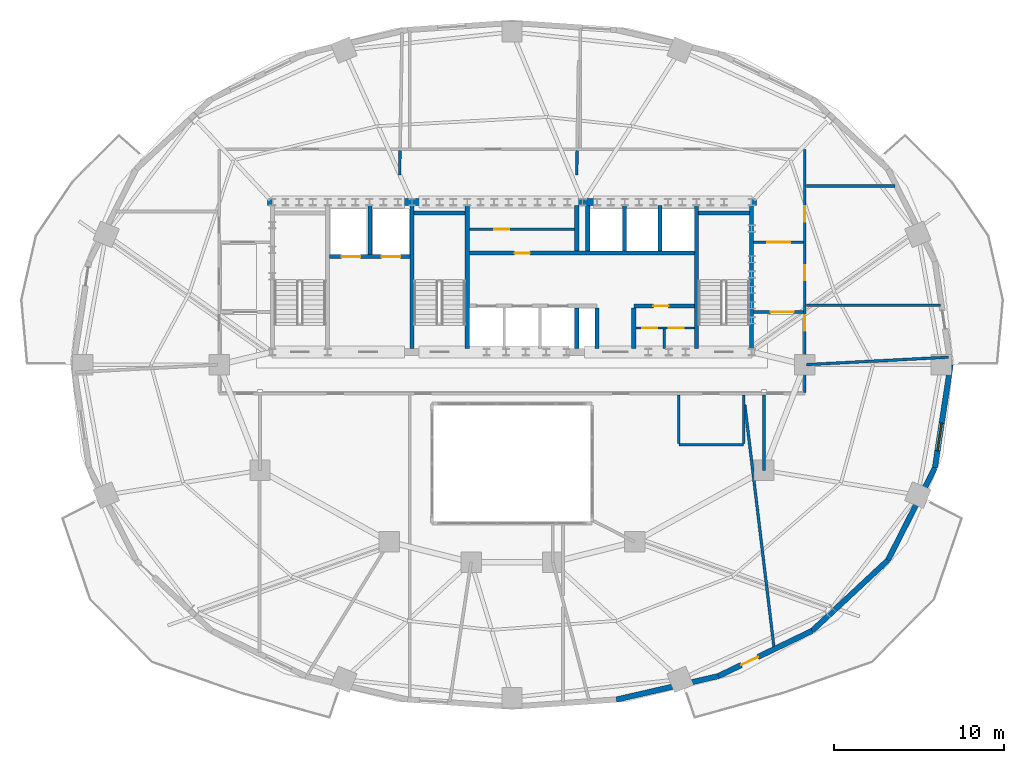
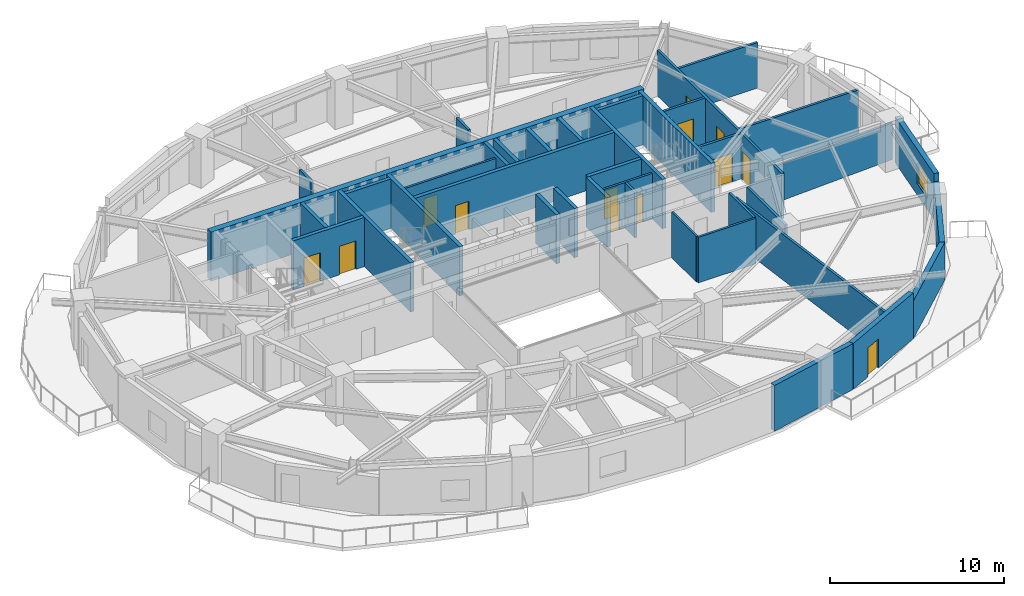
# One storey, part 7 of 11: 39 walls, 13 doors, 1 window, 14 openings.
"""IFC4 building model written with IfcOpenShell, lengths in metres."""

from ifc_helpers import new_model, si_unit, direction, frame, frame_2d, origin, place, context, subcontext, project, spatial, rectangle, extrude, material, layer, layer_set, type_object, element, fill, save


model = new_model("IFC4")

# Units and contexts
model_context = context("Model", 3, precision=1e-05, world=origin(), true_north=direction((0.0, 1.0)))
body_context = subcontext(model_context, "Body", "Model", "MODEL_VIEW")
ifc_project = project(units=[si_unit("LENGTHUNIT", "METRE"), si_unit("AREAUNIT", "SQUARE_METRE"), si_unit("VOLUMEUNIT", "CUBIC_METRE"), si_unit("PLANEANGLEUNIT", "RADIAN"), si_unit("MASSUNIT", "GRAM", prefix="KILO")], contexts=[model_context])

# Site, building, storey
site_placement = place(None, origin())
site = spatial("IfcSite", under=ifc_project, at=site_placement, CompositionType="ELEMENT")
building_placement = place(site_placement, origin())
building = spatial("IfcBuilding", under=site, at=building_placement, Name="Haldorwick Loom Tower", CompositionType="ELEMENT")
storey_placement = place(building_placement, frame((0.0, 0.0, 168.25)))
storey = spatial("IfcBuildingStorey", under=building, at=storey_placement, Name="L45", CompositionType="ELEMENT", Elevation=168.25)

# Wall
ifc_material_1 = material(Name="Pressed Clay Face Brick and Insulated Masonry Backup Assembly", Category="masonry")
ifc_layer_1 = layer(ifc_material_1, 0.320068359375, Name="Pressed Clay Face Brick and Insulated Masonry Backup Assembly", Category="masonry")
ifc_layer_set_1 = layer_set([ifc_layer_1], Name="Pressed Clay Face Brick and Insulated Masonry Backup Assembly")
wall_type_1 = type_object("IfcWallType", Name="ARC-WL-EXT320", PredefinedType="STANDARD", material=ifc_layer_set_1)
wall_1_placement = place(storey_placement, frame((42.12890625, 6.3359375, 0.0), z_axis=(0.0, 0.0, 1.0), x_axis=(0.974593223547, 0.223982250674, 0.0)))
element("IfcWall", 1, at=wall_1_placement, inside=storey, type_object=wall_type_1, Name="L45 Brick Pier and Spandrel Wall 20", PredefinedType="STANDARD", context=body_context, shape_type="SweptSolid", body=[
    extrude(rectangle(XDim=6.138916015625, YDim=0.320068359375, at=frame_2d((3.0693359375, 0.0))), origin(), (0.0, 0.0, 1.0), 3.2099609375),
])

# Wall, opening, door
wall_2_placement = place(storey_placement, frame((48.11181640625, 7.7109375, 0.0), z_axis=(0.0, 0.0, 1.0), x_axis=(0.900479976617, 0.434897472644, 0.0)))
wall_2 = element("IfcWall", 2, at=wall_2_placement, inside=storey, type_object=wall_type_1, Name="L45 Brick Pier and Spandrel Wall 21", PredefinedType="STANDARD", context=body_context, shape_type="SweptSolid", body=[
    extrude(rectangle(XDim=6.118408203125, YDim=0.320068359375, at=frame_2d((3.05908203125, 0.0))), origin(), (0.0, 0.0, 1.0), 3.2099609375),
])
opening_1_placement = place(wall_2_placement, frame((1.50634765625, 0.0, 0.0)))
opening_1 = element("IfcOpeningElement", 3, at=opening_1_placement, cuts=wall_2, Name="Opening D-BL11", PredefinedType="OPENING", context=body_context, shape_type="SweptSolid", body=[
    extrude(rectangle(XDim=1.080078125, YDim=2.0400390625, at=frame_2d((0.5400390625, 1.02001953125))), frame((0.0, 0.169921875, 0.0), z_axis=(0.0, -1.0, 0.0), x_axis=(1.0, 0.0, 0.0)), (0.0, 0.0, 1.0), 0.340087890625),
])
ifc_material_2 = material(Name="Thermally Broken Anodized Aluminium Curtain Wall Framing", Category="aluminium")
door_type_1 = type_object("IfcDoorType", Name="ARC-DR-BAL110", OperationType="NOTDEFINED", PredefinedType="DOOR", material=ifc_material_2)
door_1_placement = place(opening_1_placement, origin())
door_1 = element("IfcDoor", 4, at=door_1_placement, inside=storey, type_object=door_type_1, Name="L45 Outdoor Terrace Door SLB-L45-BAL_SE", OperationType="SINGLE_SWING_RIGHT", OverallHeight=2.0400390625, OverallWidth=1.080078125, PredefinedType="DOOR", context=body_context, shape_type="SweptSolid", body=[
    extrude(rectangle(XDim=1.080078125, YDim=2.0400390625, at=frame_2d((0.5400390625, 1.02001953125))), frame((0.0, 0.02490234375, 0.0), z_axis=(0.0, -1.0, 0.0), x_axis=(1.0, 0.0, 0.0)), (0.0, 0.0, 1.0), 0.050048828125),
])
fill(opening_1, door_1)

# Walls
for number, where, z_axis, x_axis, name in (
    (5, (53.621337890625, 10.371826171875, 0.0), (0.0, 0.0, 1.0), (0.731982952968, 0.681322945866, 0.0), "L45 Brick Pier and Spandrel Wall 22"),
    (6, (58.07666015625, 14.518798828125, 0.0), (0.0, 0.0, 1.0), (0.453172129629, 0.89142303141, 0.0), "L45 Brick Pier and Spandrel Wall 23"),
):
    element("IfcWall", number, at=place(storey_placement, frame(where, z_axis=z_axis, x_axis=x_axis)), inside=storey, type_object=wall_type_1, Name=name, PredefinedType="STANDARD", context=body_context, shape_type="SweptSolid", body=[
        extrude(rectangle(XDim=6.086669921875, YDim=0.320068359375, at=frame_2d((3.04345703125, 0.0))), origin(), (0.0, 0.0, 1.0), 2.64111328125),
    ])

# Wall, opening, window
wall_3_placement = place(storey_placement, frame((60.8349609375, 19.944580078125, 0.0), z_axis=(0.0, 0.0, 1.0), x_axis=(0.150544467684, 0.988603238539, 0.0)))
wall_3 = element("IfcWall", 7, at=wall_3_placement, inside=storey, type_object=wall_type_1, Name="L45 Brick Pier and Spandrel Wall 24", PredefinedType="STANDARD", context=body_context, shape_type="SweptSolid", body=[
    extrude(rectangle(XDim=6.125244140625, YDim=0.320068359375, at=frame_2d((3.0625, 0.0))), origin(), (0.0, 0.0, 1.0), 3.2099609375),
])
opening_2_placement = place(wall_3_placement, frame((1.0126953125, 0.0, 0.800048828125)))
opening_2 = element("IfcOpeningElement", 8, at=opening_2_placement, cuts=wall_3, Name="Opening W-01B", PredefinedType="OPENING", context=body_context, shape_type="SweptSolid", body=[
    extrude(rectangle(XDim=1.64990234375, YDim=1.449951171875, at=frame_2d((0.824951171875, 0.72509765625))), frame((0.0, 0.169921875, 0.0), z_axis=(0.0, -1.0, 0.0), x_axis=(1.0, 0.0, 0.0)), (0.0, 0.0, 1.0), 0.340087890625),
])
ifc_material_3 = material(Name="Triple-Glazed Low-E Argon Insulated Glazing Unit", Category="glass")
window_type = type_object("IfcWindowType", Name="ARC-WIN-W165", PartitioningType="SINGLE_PANEL", PredefinedType="WINDOW", material=ifc_material_3)
window_placement = place(opening_2_placement, origin())
window = element("IfcWindow", 9, at=window_placement, inside=storey, type_object=window_type, Name="L45 Deep-Set Zone 7A Window 24", OverallHeight=1.449951171875, OverallWidth=1.64990234375, PartitioningType="SINGLE_PANEL", PredefinedType="WINDOW", context=body_context, shape_type="SweptSolid", body=[
    extrude(rectangle(XDim=1.64990234375, YDim=1.449951171875, at=frame_2d((0.824951171875, 0.72509765625))), frame((0.0, 0.030029296875, 0.0), z_axis=(0.0, -1.0, 0.0), x_axis=(1.0, 0.0, 0.0)), (0.0, 0.0, 1.0), 0.06005859375),
])
fill(opening_2, window)

# Wall, openings, doors
ifc_material_4 = material(Name="Fire-Rated Type X Gypsum Stud Assembly EI 60")
ifc_layer_2 = layer(ifc_material_4, 0.159912109375, Name="Fire-Rated Type X Gypsum Stud Assembly EI 60")
ifc_layer_set_2 = layer_set([ifc_layer_2], Name="Fire-Rated Type X Gypsum Stud Assembly EI 60")
wall_type_2 = type_object("IfcWallType", Name="ARC-WL-FIRE160", PredefinedType="PARTITIONING", material=ifc_layer_set_2)
wall_4_placement = place(storey_placement, frame((53.199951171875, 24.383056640625, 0.0), z_axis=(0.0, 0.0, 1.0), x_axis=(0.0, 1.0, 0.0)))
wall_4 = element("IfcWall", 10, at=wall_4_placement, inside=storey, type_object=wall_type_2, Name="L45 Residential Fire Partition L45-CR-E0", PredefinedType="PARTITIONING", context=body_context, shape_type="SweptSolid", body=[
    extrude(rectangle(XDim=14.266845703125, YDim=0.159912109375, at=frame_2d((7.13330078125, 0.0))), origin(), (0.0, 0.0, 1.0), 3.195068359375),
])
opening_3_placement = place(wall_4_placement, frame((6.572021484375, 0.0, 0.0)))
opening_3 = element("IfcOpeningElement", 11, at=opening_3_placement, cuts=wall_4, Name="Opening D-FD60A", PredefinedType="OPENING", context=body_context, shape_type="SweptSolid", body=[
    extrude(rectangle(XDim=0.89990234375, YDim=2.0, at=frame_2d((0.449951171875, 1.0))), frame((0.0, 0.08984375, 0.0), z_axis=(0.0, -1.0, 0.0), x_axis=(1.0, 0.0, 0.0)), (0.0, 0.0, 1.0), 0.179931640625),
])
opening_4_placement = place(wall_4_placement, frame((3.619873046875, 0.0, 0.0)))
opening_4 = element("IfcOpeningElement", 12, at=opening_4_placement, cuts=wall_4, Name="Opening D-FD60A", PredefinedType="OPENING", context=body_context, shape_type="SweptSolid", body=[
    extrude(rectangle(XDim=0.89990234375, YDim=2.0, at=frame_2d((0.449951171875, 1.0))), frame((0.0, 0.08984375, 0.0), z_axis=(0.0, -1.0, 0.0), x_axis=(1.0, 0.0, 0.0)), (0.0, 0.0, 1.0), 0.179931640625),
])
opening_5_placement = place(wall_4_placement, frame((10.02734375, 0.0, 0.0)))
opening_5 = element("IfcOpeningElement", 13, at=opening_5_placement, cuts=wall_4, Name="Opening D-FD60A", PredefinedType="OPENING", context=body_context, shape_type="SweptSolid", body=[
    extrude(rectangle(XDim=0.89990234375, YDim=2.0, at=frame_2d((0.449951171875, 1.0))), frame((0.0, 0.08984375, 0.0), z_axis=(0.0, -1.0, 0.0), x_axis=(1.0, 0.0, 0.0)), (0.0, 0.0, 1.0), 0.179931640625),
])
ifc_material_5 = material(Name="Hollow Steel Fire Door Assembly", Category="steel")
door_type_2 = type_object("IfcDoorType", Name="ARC-DR-FD60-90", OperationType="NOTDEFINED", PredefinedType="DOOR", material=ifc_material_5)
door_2_placement = place(opening_3_placement, origin())
door_2 = element("IfcDoor", 14, at=door_2_placement, inside=storey, type_object=door_type_2, Name="L45 L45 East Residential Corridor to Co-Working Office 3 Door", OperationType="SINGLE_SWING_LEFT", OverallHeight=2.0, OverallWidth=0.89990234375, PredefinedType="DOOR", context=body_context, shape_type="SweptSolid", body=[
    extrude(rectangle(XDim=0.89990234375, YDim=2.0, at=frame_2d((0.449951171875, 1.0))), frame((0.0, 0.02490234375, 0.0), z_axis=(0.0, -1.0, 0.0), x_axis=(1.0, 0.0, 0.0)), (0.0, 0.0, 1.0), 0.050048828125),
])
fill(opening_3, door_2)
door_3_placement = place(opening_4_placement, origin())
door_3 = element("IfcDoor", 15, at=door_3_placement, inside=storey, type_object=door_type_2, Name="L45 L45 Central Residential Corridor to Co-Working Office 1 Door", OperationType="SINGLE_SWING_RIGHT", OverallHeight=2.0, OverallWidth=0.89990234375, PredefinedType="DOOR", context=body_context, shape_type="SweptSolid", body=[
    extrude(rectangle(XDim=0.89990234375, YDim=2.0, at=frame_2d((0.449951171875, 1.0))), frame((0.0, 0.02490234375, 0.0), z_axis=(0.0, -1.0, 0.0), x_axis=(1.0, 0.0, 0.0)), (0.0, 0.0, 1.0), 0.050048828125),
])
fill(opening_4, door_3)
door_4_placement = place(opening_5_placement, origin())
door_4 = element("IfcDoor", 16, at=door_4_placement, inside=storey, type_object=door_type_2, Name="L45 L45 North Residential Corridor to Co-Working Office 3 Door", OperationType="SINGLE_SWING_LEFT", OverallHeight=2.0, OverallWidth=0.89990234375, PredefinedType="DOOR", context=body_context, shape_type="SweptSolid", body=[
    extrude(rectangle(XDim=0.89990234375, YDim=2.0, at=frame_2d((0.449951171875, 1.0))), frame((0.0, 0.02490234375, 0.0), z_axis=(0.0, -1.0, 0.0), x_axis=(1.0, 0.0, 0.0)), (0.0, 0.0, 1.0), 0.050048828125),
])
fill(opening_5, door_4)

# Wall, opening, door
wall_5_placement = place(storey_placement, frame((50.193115234375, 29.10009765625, 0.0), z_axis=(0.0, 0.0, 1.0), x_axis=(1.0, 0.0, 0.0)))
wall_5 = element("IfcWall", 17, at=wall_5_placement, inside=storey, type_object=wall_type_2, Name="L45 Residential Fire Partition L45-CR-ESJ", PredefinedType="PARTITIONING", context=body_context, shape_type="SweptSolid", body=[
    extrude(rectangle(XDim=2.923828125, YDim=0.159912109375, at=frame_2d((1.4619140625, 0.0))), origin(), (0.0, 0.0, 1.0), 3.195068359375),
])
opening_6_placement = place(wall_5_placement, frame((0.99560546875, 0.0, 0.0)))
opening_6 = element("IfcOpeningElement", 18, at=opening_6_placement, cuts=wall_5, Name="Opening D-CR15", PredefinedType="OPENING", context=body_context, shape_type="SweptSolid", body=[
    extrude(rectangle(XDim=1.35009765625, YDim=2.0, at=frame_2d((0.675048828125, 1.0))), frame((0.0, 0.08984375, 0.0), z_axis=(0.0, -1.0, 0.0), x_axis=(1.0, 0.0, 0.0)), (0.0, 0.0, 1.0), 0.179931640625),
])
ifc_material_6 = material(Name="Thermally Broken Anodized Aluminium and Tempered Glass", Category="aluminium")
door_type_3 = type_object("IfcDoorType", Name="ARC-DR-COR150", OperationType="NOTDEFINED", PredefinedType="DOOR", material=ifc_material_6)
door_5_placement = place(opening_6_placement, origin())
door_5 = element("IfcDoor", 19, at=door_5_placement, inside=storey, type_object=door_type_3, Name="L45 L45 East Residential Corridor to L45 Central Residential Corridor Do", OperationType="DOUBLE_DOOR_SINGLE_SWING", OverallHeight=2.0, OverallWidth=1.35009765625, PredefinedType="DOOR", context=body_context, shape_type="SweptSolid", body=[
    extrude(rectangle(XDim=1.35009765625, YDim=2.0, at=frame_2d((0.675048828125, 1.0))), frame((0.0, 0.02490234375, 0.0), z_axis=(0.0, -1.0, 0.0), x_axis=(1.0, 0.0, 0.0)), (0.0, 0.0, 1.0), 0.050048828125),
])
fill(opening_6, door_5)

wall_6_placement = place(storey_placement, frame((50.193115234375, 33.199951171875, 0.0), z_axis=(0.0, 0.0, 1.0), x_axis=(1.0, 0.0, 0.0)))
wall_6 = element("IfcWall", 20, at=wall_6_placement, inside=storey, type_object=wall_type_2, Name="L45 Residential Fire Partition L45-CR-ENJ", PredefinedType="PARTITIONING", context=body_context, shape_type="SweptSolid", body=[
    extrude(rectangle(XDim=2.923828125, YDim=0.159912109375, at=frame_2d((1.4619140625, 0.0))), origin(), (0.0, 0.0, 1.0), 3.195068359375),
])
opening_7_placement = place(wall_6_placement, frame((0.787109375, 0.0, 0.0)))
opening_7 = element("IfcOpeningElement", 21, at=opening_7_placement, cuts=wall_6, Name="Opening D-CR15", PredefinedType="OPENING", context=body_context, shape_type="SweptSolid", body=[
    extrude(rectangle(XDim=1.35009765625, YDim=2.0, at=frame_2d((0.675048828125, 1.0))), frame((0.0, 0.08984375, 0.0), z_axis=(0.0, -1.0, 0.0), x_axis=(1.0, 0.0, 0.0)), (0.0, 0.0, 1.0), 0.179931640625),
])
door_6_placement = place(opening_7_placement, origin())
door_6 = element("IfcDoor", 22, at=door_6_placement, inside=storey, type_object=door_type_3, Name="L45 L45 North Residential Corridor to L45 East Residential Corridor Door", OperationType="DOUBLE_DOOR_SINGLE_SWING", OverallHeight=2.0, OverallWidth=1.35009765625, PredefinedType="DOOR", context=body_context, shape_type="SweptSolid", body=[
    extrude(rectangle(XDim=1.35009765625, YDim=2.0, at=frame_2d((0.675048828125, 1.0))), frame((0.0, 0.02490234375, 0.0), z_axis=(0.0, -1.0, 0.0), x_axis=(1.0, 0.0, 0.0)), (0.0, 0.0, 1.0), 0.050048828125),
])
fill(opening_7, door_6)

# Walls
wall_7_placement = place(storey_placement, frame((53.282958984375, 26.00439453125, 0.0), z_axis=(0.0, 0.0, 1.0), x_axis=(0.99863031647, 0.052321038094, 0.0)))
element("IfcWall", 23, at=wall_7_placement, inside=storey, type_object=wall_type_2, Name="L45 Residential Fire Partition L45-ICR-01", PredefinedType="PARTITIONING", context=body_context, shape_type="SweptSolid", body=[
    extrude(rectangle(XDim=8.3525390625, YDim=0.159912109375, at=frame_2d((4.17626953125, 0.0))), origin(), (0.0, 0.0, 1.0), 2.568115234375),
])
wall_8_placement = place(storey_placement, frame((50.800048828125, 24.217041015625, 0.0), z_axis=(0.0, 0.0, 1.0), x_axis=(0.0, -1.0, 0.0)))
element("IfcWall", 24, at=wall_8_placement, inside=storey, type_object=wall_type_2, Name="L45 Residential Fire Partition L45-ICA-02", PredefinedType="PARTITIONING", context=body_context, shape_type="SweptSolid", body=[
    extrude(rectangle(XDim=4.4169921875, YDim=0.159912109375, at=frame_2d((2.20849609375, 0.0))), origin(), (0.0, 0.0, 1.0), 3.195068359375),
])
for number, where, z_axis, x_axis, name in (
    (25, (29.39990234375, 37.14990234375, 0.0), (0.0, 0.0, 1.0), (0.01739915764, 0.999848623199, 0.0), "L45 Residential Fire Partition L45-UPN-12"),
    (26, (39.800048828125, 37.14990234375, 0.0), (0.0, 0.0, 1.0), (0.01739915764, 0.999848623199, 0.0), "L45 Residential Fire Partition L45-UPN-13"),
):
    element("IfcWall", number, at=place(storey_placement, frame(where, z_axis=z_axis, x_axis=x_axis)), inside=storey, type_object=wall_type_2, Name=name, PredefinedType="PARTITIONING", context=body_context, shape_type="SweptSolid", body=[
        extrude(rectangle(XDim=1.417236328125, YDim=0.159912109375, at=frame_2d((0.70849609375, 0.0))), origin(), (0.0, 0.0, 1.0), 3.195068359375),
    ])
wall_9_placement = place(storey_placement, frame((53.282958984375, 29.5, 0.0), z_axis=(0.0, 0.0, 1.0), x_axis=(1.0, 0.0, 0.0)))
element("IfcWall", 27, at=wall_9_placement, inside=storey, type_object=wall_type_2, Name="L45 Residential Fire Partition L45-FLE-15", PredefinedType="PARTITIONING", context=body_context, shape_type="SweptSolid", body=[
    extrude(rectangle(XDim=7.875244140625, YDim=0.159912109375, at=frame_2d((3.9375, 0.0))), origin(), (0.0, 0.0, 1.0), 3.195068359375),
])
wall_10_placement = place(storey_placement, frame((53.282958984375, 36.5, 0.0), z_axis=(0.0, 0.0, 1.0), x_axis=(1.0, 0.0, 0.0)))
element("IfcWall", 28, at=wall_10_placement, inside=storey, type_object=wall_type_2, Name="L45 Residential Fire Partition L45-FLE-17", PredefinedType="PARTITIONING", context=body_context, shape_type="SweptSolid", body=[
    extrude(rectangle(XDim=5.219482421875, YDim=0.159912109375, at=frame_2d((2.60986328125, 0.0))), origin(), (0.0, 0.0, 1.0), 3.195068359375),
])
wall_11_placement = place(storey_placement, frame((51.389404296875, 9.3662109375, 0.0), z_axis=(0.0, 0.0, 1.0), x_axis=(-0.119286397993, 0.99285988702, 0.0)))
element("IfcWall", 29, at=wall_11_placement, inside=storey, type_object=wall_type_2, Name="L45 Suite Split Wall", PredefinedType="PARTITIONING", context=body_context, shape_type="SweptSolid", body=[
    extrude(rectangle(XDim=14.38818359375, YDim=0.159912109375, at=frame_2d((7.194091796875, 0.0))), origin(), (0.0, 0.0, 1.0), 3.195068359375),
])

# Wall, opening, door
ifc_layer_3 = layer(ifc_material_4, 0.139892578125, Name="Fire-Rated Type X Gypsum Stud Assembly EI 60")
ifc_layer_set_3 = layer_set([ifc_layer_3], Name="Fire-Rated Type X Gypsum Stud Assembly EI 60")
wall_type_3 = type_object("IfcWallType", Name="ARC-WL-PART140", PredefinedType="PARTITIONING", material=ifc_layer_set_3)
wall_12_placement = place(storey_placement, frame((33.492919921875, 33.9599609375, 0.0), z_axis=(0.0, 0.0, 1.0), x_axis=(1.0, 0.0, 0.0)))
wall_12 = element("IfcWall", 30, at=wall_12_placement, inside=storey, type_object=wall_type_3, Name="L45 Alcove Partition", PredefinedType="PARTITIONING", context=body_context, shape_type="SweptSolid", body=[
    extrude(rectangle(XDim=6.18408203125, YDim=0.139892578125, at=frame_2d((3.092041015625, 0.0))), origin(), (0.0, 0.0, 1.0), 3.195068359375),
])
opening_8_placement = place(wall_12_placement, frame((1.45703125, 0.0, 0.0)))
opening_8 = element("IfcOpeningElement", 31, at=opening_8_placement, cuts=wall_12, Name="Opening D-FD60A", PredefinedType="OPENING", context=body_context, shape_type="SweptSolid", body=[
    extrude(rectangle(XDim=0.89990234375, YDim=2.0, at=frame_2d((0.449951171875, 1.0))), frame((0.0, 0.079833984375, 0.0), z_axis=(0.0, -1.0, 0.0), x_axis=(1.0, 0.0, 0.0)), (0.0, 0.0, 1.0), 0.159912109375),
])
door_7_placement = place(opening_8_placement, frame((0.89990234375, 0.0, 0.0), z_axis=(0.0, 0.0, 1.0), x_axis=(-1.0, 0.0, 0.0)))
door_7 = element("IfcDoor", 32, at=door_7_placement, inside=storey, type_object=door_type_2, Name="L45 Trunk Store Door", OperationType="SINGLE_SWING_LEFT", OverallHeight=2.0, OverallWidth=0.89990234375, PredefinedType="DOOR", context=body_context, shape_type="SweptSolid", body=[
    extrude(rectangle(XDim=0.89990234375, YDim=2.0, at=frame_2d((0.449951171875, 1.0))), frame((0.0, 0.02490234375, 0.0), z_axis=(0.0, -1.0, 0.0), x_axis=(1.0, 0.0, 0.0)), (0.0, 0.0, 1.0), 0.050048828125),
])
fill(opening_8, door_7)

# Wall, openings, doors
wall_13_placement = place(storey_placement, frame((43.27294921875, 28.159912109375, 0.0), z_axis=(0.0, 0.0, 1.0), x_axis=(1.0, 0.0, 0.0)))
wall_13 = element("IfcWall", 33, at=wall_13_placement, inside=storey, type_object=wall_type_3, Name="L45 Telecom Partition", PredefinedType="PARTITIONING", context=body_context, shape_type="SweptSolid", body=[
    extrude(rectangle(XDim=3.43408203125, YDim=0.139892578125, at=frame_2d((1.717041015625, 0.0))), origin(), (0.0, 0.0, 1.0), 3.195068359375),
])
opening_9_placement = place(wall_13_placement, frame((0.366943359375, 0.0, 0.0)))
opening_9 = element("IfcOpeningElement", 34, at=opening_9_placement, cuts=wall_13, Name="Opening D-BT88", PredefinedType="OPENING", context=body_context, shape_type="SweptSolid", body=[
    extrude(rectangle(XDim=0.8798828125, YDim=2.02001953125, at=frame_2d((0.43994140625, 1.010009765625))), frame((0.0, 0.079833984375, 0.0), z_axis=(0.0, -1.0, 0.0), x_axis=(1.0, 0.0, 0.0)), (0.0, 0.0, 1.0), 0.159912109375),
])
opening_10_placement = place(wall_13_placement, frame((1.93701171875, 0.0, 0.0)))
opening_10 = element("IfcOpeningElement", 35, at=opening_10_placement, cuts=wall_13, Name="Opening D-BT88", PredefinedType="OPENING", context=body_context, shape_type="SweptSolid", body=[
    extrude(rectangle(XDim=0.8798828125, YDim=2.02001953125, at=frame_2d((0.43994140625, 1.010009765625))), frame((0.0, 0.079833984375, 0.0), z_axis=(0.0, -1.0, 0.0), x_axis=(1.0, 0.0, 0.0)), (0.0, 0.0, 1.0), 0.159912109375),
])
ifc_material_7 = material(Name="Solid Core Birch Architectural Door")
door_type_4 = type_object("IfcDoorType", Name="ARC-DR-BATH88", OperationType="NOTDEFINED", PredefinedType="DOOR", material=ifc_material_7)
door_8_placement = place(opening_9_placement, origin())
door_8 = element("IfcDoor", 36, at=door_8_placement, inside=storey, type_object=door_type_4, Name="L45 Telecom Room Door", OperationType="SINGLE_SWING_LEFT", OverallHeight=2.02001953125, OverallWidth=0.8798828125, PredefinedType="DOOR", context=body_context, shape_type="SweptSolid", body=[
    extrude(rectangle(XDim=0.8798828125, YDim=2.02001953125, at=frame_2d((0.43994140625, 1.010009765625))), frame((0.0, 0.02490234375, 0.0), z_axis=(0.0, -1.0, 0.0), x_axis=(1.0, 0.0, 0.0)), (0.0, 0.0, 1.0), 0.050048828125),
])
fill(opening_9, door_8)
door_9_placement = place(opening_10_placement, origin())
door_9 = element("IfcDoor", 37, at=door_9_placement, inside=storey, type_object=door_type_4, Name="L45 Metering Closet Door", OperationType="SINGLE_SWING_RIGHT", OverallHeight=2.02001953125, OverallWidth=0.8798828125, PredefinedType="DOOR", context=body_context, shape_type="SweptSolid", body=[
    extrude(rectangle(XDim=0.8798828125, YDim=2.02001953125, at=frame_2d((0.43994140625, 1.010009765625))), frame((0.0, 0.02490234375, 0.0), z_axis=(0.0, -1.0, 0.0), x_axis=(1.0, 0.0, 0.0)), (0.0, 0.0, 1.0), 0.050048828125),
])
fill(opening_10, door_9)

# Walls
wall_14_placement = place(storey_placement, frame((44.949951171875, 26.952880859375, 0.0), z_axis=(0.0, 0.0, 1.0), x_axis=(0.0, 1.0, 0.0)))
element("IfcWall", 38, at=wall_14_placement, inside=storey, type_object=wall_type_3, Name="L45 Metering Sub-Partition", PredefinedType="PARTITIONING", context=body_context, shape_type="SweptSolid", body=[
    extrude(rectangle(XDim=1.134033203125, YDim=0.139892578125, at=frame_2d((0.56689453125, 0.0))), origin(), (0.0, 0.0, 1.0), 3.195068359375),
])
wall_15_placement = place(storey_placement, frame((45.800048828125, 21.300048828125, 0.0), z_axis=(0.0, 0.0, 1.0), x_axis=(1.0, 0.0, 0.0)))
element("IfcWall", 39, at=wall_15_placement, inside=storey, type_object=wall_type_3, Name="L45 Residential Fire Partition L45-CWC-S", PredefinedType="PARTITIONING", context=body_context, shape_type="SweptSolid", body=[
    extrude(rectangle(XDim=3.800048828125, YDim=0.139892578125, at=frame_2d((1.89990234375, 0.0))), origin(), (0.0, 0.0, 1.0), 3.195068359375),
])
for number, where, z_axis, x_axis, name in (
    (40, (45.800048828125, 21.373046875, 0.0), (0.0, 0.0, 1.0), (0.0, 1.0, 0.0), "L45 Residential Fire Partition L45-CWC-W"),
    (41, (49.60009765625, 21.373046875, 0.0), (0.0, 0.0, 1.0), (0.0, 1.0, 0.0), "L45 Residential Fire Partition L45-CWC-E"),
):
    element("IfcWall", number, at=place(storey_placement, frame(where, z_axis=z_axis, x_axis=x_axis)), inside=storey, type_object=wall_type_3, Name=name, PredefinedType="PARTITIONING", context=body_context, shape_type="SweptSolid", body=[
        extrude(rectangle(XDim=2.843994140625, YDim=0.139892578125, at=frame_2d((1.421875, 0.0))), origin(), (0.0, 0.0, 1.0), 3.195068359375),
    ])
ifc_material_8 = material(Name="Concrete C50 (50 MPa)", Category="concrete")
ifc_layer_4 = layer(ifc_material_8, 0.39990234375, Name="Concrete C50 (50 MPa)", Category="concrete")
ifc_layer_set_4 = layer_set([ifc_layer_4], Name="Concrete C50 (50 MPa)")
wall_type_4 = type_object("IfcWallType", Name="STR-WL-CORE400", PredefinedType="SHEAR", material=ifc_layer_set_4)
wall_16_placement = place(storey_placement, frame((50.35009765625, 35.550048828125, 0.0), z_axis=(0.0, 0.0, 1.0), x_axis=(-1.0, 0.0, 0.0)))
element("IfcWall", 42, at=wall_16_placement, inside=storey, type_object=wall_type_4, Name="L45 Core Shear Wall N", PredefinedType="SHEAR", context=body_context, shape_type="SweptSolid", body=[
    extrude(rectangle(XDim=28.7001953125, YDim=0.39990234375, at=frame_2d((14.35009765625, 0.0))), origin(), (0.0, 0.0, 1.0), 3.449951171875),
])
ifc_layer_5 = layer(ifc_material_8, 0.239990234375, Name="Concrete C50 (50 MPa)", Category="concrete")
ifc_layer_set_5 = layer_set([ifc_layer_5], Name="Concrete C50 (50 MPa)")
wall_type_5 = type_object("IfcWallType", Name="STR-WL-SHAFT240", PredefinedType="SHEAR", material=ifc_layer_set_5)
for number, where, z_axis, x_axis, name in (
    (43, (50.070068359375, 26.952880859375, 0.0), (0.0, 0.0, 1.0), (0.0, 1.0, 0.0), "L45 Core Shear Wall E"),
    (44, (30.1298828125, 26.952880859375, 0.0), (0.0, 0.0, 1.0), (0.0, 1.0, 0.0), "L45 Core Shear Wall 2"),
    (45, (33.3701171875, 26.952880859375, 0.0), (0.0, 0.0, 1.0), (0.0, 1.0, 0.0), "L45 Core Shear Wall 3"),
):
    element("IfcWall", number, at=place(storey_placement, frame(where, z_axis=z_axis, x_axis=x_axis)), inside=storey, type_object=wall_type_5, Name=name, PredefinedType="SHEAR", context=body_context, shape_type="SweptSolid", body=[
        extrude(rectangle(XDim=8.39404296875, YDim=0.239990234375, at=frame_2d((4.197021484375, 0.0))), origin(), (0.0, 0.0, 1.0), 3.449951171875),
    ])
wall_17_placement = place(storey_placement, frame((30.2529296875, 34.919921875, 0.0), z_axis=(0.0, 0.0, 1.0), x_axis=(1.0, 0.0, 0.0)))
element("IfcWall", 46, at=wall_17_placement, inside=storey, type_object=wall_type_5, Name="L45 Core Shear Wall 3N", PredefinedType="SHEAR", context=body_context, shape_type="SweptSolid", body=[
    extrude(rectangle(XDim=2.994140625, YDim=0.239990234375, at=frame_2d((1.4970703125, 0.0))), origin(), (0.0, 0.0, 1.0), 3.449951171875),
])
wall_18_placement = place(storey_placement, frame((46.830078125, 26.952880859375, 0.0), z_axis=(0.0, 0.0, 1.0), x_axis=(0.0, 1.0, 0.0)))
element("IfcWall", 47, at=wall_18_placement, inside=storey, type_object=wall_type_5, Name="L45 Core Shear Wall 4", PredefinedType="SHEAR", context=body_context, shape_type="SweptSolid", body=[
    extrude(rectangle(XDim=8.39404296875, YDim=0.239990234375, at=frame_2d((4.197021484375, 0.0))), origin(), (0.0, 0.0, 1.0), 3.449951171875),
])
wall_19_placement = place(storey_placement, frame((46.952880859375, 34.919921875, 0.0), z_axis=(0.0, 0.0, 1.0), x_axis=(1.0, 0.0, 0.0)))
element("IfcWall", 48, at=wall_19_placement, inside=storey, type_object=wall_type_5, Name="L45 Core Shear Wall 4N", PredefinedType="SHEAR", context=body_context, shape_type="SweptSolid", body=[
    extrude(rectangle(XDim=2.994140625, YDim=0.239990234375, at=frame_2d((1.4970703125, 0.0))), origin(), (0.0, 0.0, 1.0), 3.449951171875),
])

# Wall, openings, doors
wall_20_placement = place(storey_placement, frame((25.29296875, 32.35009765625, 0.0), z_axis=(0.0, 0.0, 1.0), x_axis=(1.0, 0.0, 0.0)))
wall_20 = element("IfcWall", 49, at=wall_20_placement, inside=storey, type_object=wall_type_5, Name="L45 Core Shear Wall FF", PredefinedType="SHEAR", context=body_context, shape_type="SweptSolid", body=[
    extrude(rectangle(XDim=4.714111328125, YDim=0.239990234375, at=frame_2d((2.35693359375, 0.0))), origin(), (0.0, 0.0, 1.0), 3.449951171875),
])
opening_11_placement = place(wall_20_placement, frame((0.70703125, 0.0, 0.0)))
opening_11 = element("IfcOpeningElement", 50, at=opening_11_placement, cuts=wall_20, Name="Opening LD-FF1", PredefinedType="OPENING", context=body_context, shape_type="SweptSolid", body=[
    extrude(rectangle(XDim=1.10009765625, YDim=2.0, at=frame_2d((0.550048828125, 1.0))), frame((0.0, 0.1298828125, 0.0), z_axis=(0.0, -1.0, 0.0), x_axis=(1.0, 0.0, 0.0)), (0.0, 0.0, 1.0), 0.260009765625),
])
opening_12_placement = place(wall_20_placement, frame((3.056884765625, 0.0, 0.0)))
opening_12 = element("IfcOpeningElement", 51, at=opening_12_placement, cuts=wall_20, Name="Opening LD-FF2", PredefinedType="OPENING", context=body_context, shape_type="SweptSolid", body=[
    extrude(rectangle(XDim=1.10009765625, YDim=2.0, at=frame_2d((0.550048828125, 1.0))), frame((0.0, 0.1298828125, 0.0), z_axis=(0.0, -1.0, 0.0), x_axis=(1.0, 0.0, 0.0)), (0.0, 0.0, 1.0), 0.260009765625),
])
door_type_5 = type_object("IfcDoorType", Name="ARC-DR-LD-FF", OperationType="NOTDEFINED", PredefinedType="USERDEFINED", material=ifc_material_5)
door_10_placement = place(opening_11_placement, origin())
door_10 = element("IfcDoor", 52, at=door_10_placement, inside=storey, type_object=door_type_5, Name="L45 Lift LF-FF1 Sliding Landing Door", ObjectType="LANDING DOOR", OperationType="DOUBLE_DOOR_SLIDING", OverallHeight=2.0, OverallWidth=1.10009765625, PredefinedType="USERDEFINED", context=body_context, shape_type="SweptSolid", body=[
    extrude(rectangle(XDim=1.10009765625, YDim=2.0, at=frame_2d((0.550048828125, 1.0))), frame((0.0, 0.02490234375, 0.0), z_axis=(0.0, -1.0, 0.0), x_axis=(1.0, 0.0, 0.0)), (0.0, 0.0, 1.0), 0.050048828125),
])
fill(opening_11, door_10)
door_11_placement = place(opening_12_placement, origin())
door_11 = element("IfcDoor", 53, at=door_11_placement, inside=storey, type_object=door_type_5, Name="L45 Lift LF-FF2 Sliding Landing Door", ObjectType="LANDING DOOR", OperationType="DOUBLE_DOOR_SLIDING", OverallHeight=2.0, OverallWidth=1.10009765625, PredefinedType="USERDEFINED", context=body_context, shape_type="SweptSolid", body=[
    extrude(rectangle(XDim=1.10009765625, YDim=2.0, at=frame_2d((0.550048828125, 1.0))), frame((0.0, 0.02490234375, 0.0), z_axis=(0.0, -1.0, 0.0), x_axis=(1.0, 0.0, 0.0)), (0.0, 0.0, 1.0), 0.050048828125),
])
fill(opening_12, door_11)

# Wall
wall_21_placement = place(storey_placement, frame((27.64990234375, 32.472900390625, 0.0), z_axis=(0.0, 0.0, 1.0), x_axis=(0.0, 1.0, 0.0)))
element("IfcWall", 54, at=wall_21_placement, inside=storey, type_object=wall_type_5, Name="L45 Core Shear Wall FFD", PredefinedType="SHEAR", context=body_context, shape_type="SweptSolid", body=[
    extrude(rectangle(XDim=2.8740234375, YDim=0.239990234375, at=frame_2d((1.43701171875, 0.0))), origin(), (0.0, 0.0, 1.0), 3.449951171875),
])

# Wall, opening, door
wall_22_placement = place(storey_placement, frame((33.492919921875, 32.550048828125, 0.0), z_axis=(0.0, 0.0, 1.0), x_axis=(1.0, 0.0, 0.0)))
wall_22 = element("IfcWall", 55, at=wall_22_placement, inside=storey, type_object=wall_type_5, Name="L45 Core Shear Wall LN", PredefinedType="SHEAR", context=body_context, shape_type="SweptSolid", body=[
    extrude(rectangle(XDim=13.214111328125, YDim=0.239990234375, at=frame_2d((6.60693359375, 0.0))), origin(), (0.0, 0.0, 1.0), 3.449951171875),
])
opening_13_placement = place(wall_22_placement, frame((2.656982421875, 0.0, 0.0)))
opening_13 = element("IfcOpeningElement", 56, at=opening_13_placement, cuts=wall_22, Name="Opening D-FD60A", PredefinedType="OPENING", context=body_context, shape_type="SweptSolid", body=[
    extrude(rectangle(XDim=0.89990234375, YDim=2.0, at=frame_2d((0.449951171875, 1.0))), frame((0.0, 0.1298828125, 0.0), z_axis=(0.0, -1.0, 0.0), x_axis=(1.0, 0.0, 0.0)), (0.0, 0.0, 1.0), 0.260009765625),
])
door_12_placement = place(opening_13_placement, frame((0.89990234375, 0.0, 0.0), z_axis=(0.0, 0.0, 1.0), x_axis=(-1.0, 0.0, 0.0)))
door_12 = element("IfcDoor", 57, at=door_12_placement, inside=storey, type_object=door_type_2, Name="L45 Floor Equipment Door", OperationType="SINGLE_SWING_RIGHT", OverallHeight=2.0, OverallWidth=0.89990234375, PredefinedType="DOOR", context=body_context, shape_type="SweptSolid", body=[
    extrude(rectangle(XDim=0.89990234375, YDim=2.0, at=frame_2d((0.449951171875, 1.0))), frame((0.0, 0.02490234375, 0.0), z_axis=(0.0, -1.0, 0.0), x_axis=(1.0, 0.0, 0.0)), (0.0, 0.0, 1.0), 0.050048828125),
])
fill(opening_13, door_12)

wall_23_placement = place(storey_placement, frame((43.14990234375, 29.449951171875, 0.0), z_axis=(0.0, 0.0, 1.0), x_axis=(1.0, 0.0, 0.0)))
wall_23 = element("IfcWall", 58, at=wall_23_placement, inside=storey, type_object=wall_type_5, Name="L45 Core Shear Wall LS2", PredefinedType="SHEAR", context=body_context, shape_type="SweptSolid", body=[
    extrude(rectangle(XDim=3.55712890625, YDim=0.239990234375, at=frame_2d((1.778564453125, 0.0))), origin(), (0.0, 0.0, 1.0), 3.449951171875),
])
opening_14_placement = place(wall_23_placement, frame((1.14990234375, 0.0, 0.0)))
opening_14 = element("IfcOpeningElement", 59, at=opening_14_placement, cuts=wall_23, Name="Opening D-FD60A", PredefinedType="OPENING", context=body_context, shape_type="SweptSolid", body=[
    extrude(rectangle(XDim=0.89990234375, YDim=2.0, at=frame_2d((0.449951171875, 1.0))), frame((0.0, 0.1298828125, 0.0), z_axis=(0.0, -1.0, 0.0), x_axis=(1.0, 0.0, 0.0)), (0.0, 0.0, 1.0), 0.260009765625),
])
door_13_placement = place(opening_14_placement, origin())
door_13 = element("IfcDoor", 60, at=door_13_placement, inside=storey, type_object=door_type_2, Name="L45 Janitor Closet Door", OperationType="SINGLE_SWING_LEFT", OverallHeight=2.0, OverallWidth=0.89990234375, PredefinedType="DOOR", context=body_context, shape_type="SweptSolid", body=[
    extrude(rectangle(XDim=0.89990234375, YDim=2.0, at=frame_2d((0.449951171875, 1.0))), frame((0.0, 0.02490234375, 0.0), z_axis=(0.0, -1.0, 0.0), x_axis=(1.0, 0.0, 0.0)), (0.0, 0.0, 1.0), 0.050048828125),
])
fill(opening_14, door_13)

# Walls
for number, where, z_axis, x_axis, name in (
    (61, (41.0, 26.952880859375, 0.0), (0.0, 0.0, 1.0), (0.0, 1.0, 0.0), "L45 Core Shear Wall THW"),
    (62, (43.14990234375, 26.952880859375, 0.0), (0.0, 0.0, 1.0), (0.0, 1.0, 0.0), "L45 Core Shear Wall THE"),
):
    element("IfcWall", number, at=place(storey_placement, frame(where, z_axis=z_axis, x_axis=x_axis)), inside=storey, type_object=wall_type_5, Name=name, PredefinedType="SHEAR", context=body_context, shape_type="SweptSolid", body=[
        extrude(rectangle(XDim=2.3740234375, YDim=0.239990234375, at=frame_2d((1.18701171875, 0.0))), origin(), (0.0, 0.0, 1.0), 3.449951171875),
    ])
for number, where, z_axis, x_axis, name in (
    (63, (39.800048828125, 32.673095703125, 0.0), (0.0, 0.0, 1.0), (0.0, 1.0, 0.0), "L45 Core Shear Wall LHW"),
    (64, (40.449951171875, 32.673095703125, 0.0), (0.0, 0.0, 1.0), (0.0, 1.0, 0.0), "L45 Core Shear Wall H0"),
    (65, (42.60009765625, 32.673095703125, 0.0), (0.0, 0.0, 1.0), (0.0, 1.0, 0.0), "L45 Core Shear Wall H1"),
    (66, (44.699951171875, 32.673095703125, 0.0), (0.0, 0.0, 1.0), (0.0, 1.0, 0.0), "L45 Core Shear Wall H2"),
):
    element("IfcWall", number, at=place(storey_placement, frame(where, z_axis=z_axis, x_axis=x_axis)), inside=storey, type_object=wall_type_5, Name=name, PredefinedType="SHEAR", context=body_context, shape_type="SweptSolid", body=[
        extrude(rectangle(XDim=2.673828125, YDim=0.239990234375, at=frame_2d((1.3369140625, 0.0))), origin(), (0.0, 0.0, 1.0), 3.449951171875),
    ])
wall_24_placement = place(storey_placement, frame((39.800048828125, 26.952880859375, 0.0), z_axis=(0.0, 0.0, 1.0), x_axis=(0.0, 1.0, 0.0)))
element("IfcWall", 67, at=wall_24_placement, inside=storey, type_object=wall_type_5, Name="L45 Core Shear Wall MRW", PredefinedType="SHEAR", context=body_context, shape_type="SweptSolid", body=[
    extrude(rectangle(XDim=2.3740234375, YDim=0.239990234375, at=frame_2d((1.18701171875, 0.0))), origin(), (0.0, 0.0, 1.0), 3.449951171875),
])

save(model, "model.ifc")
